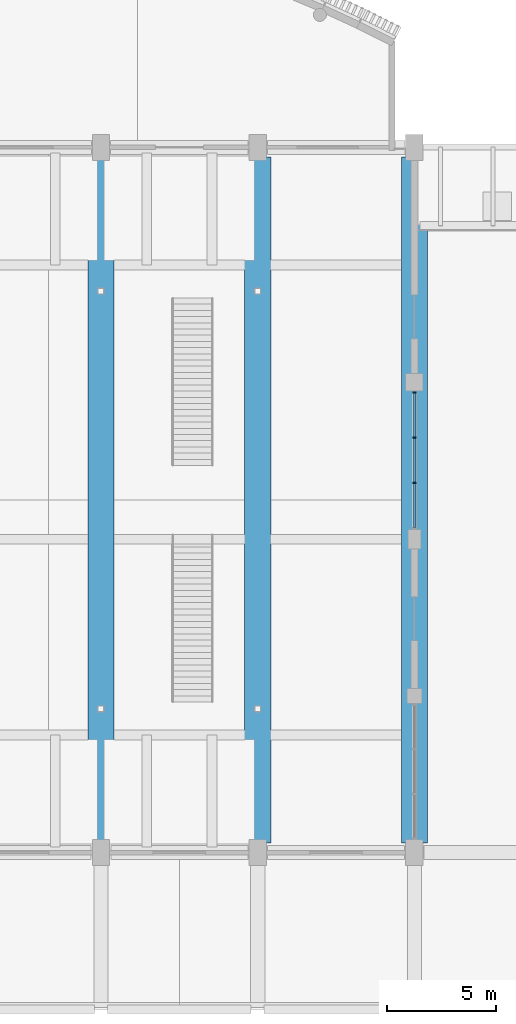
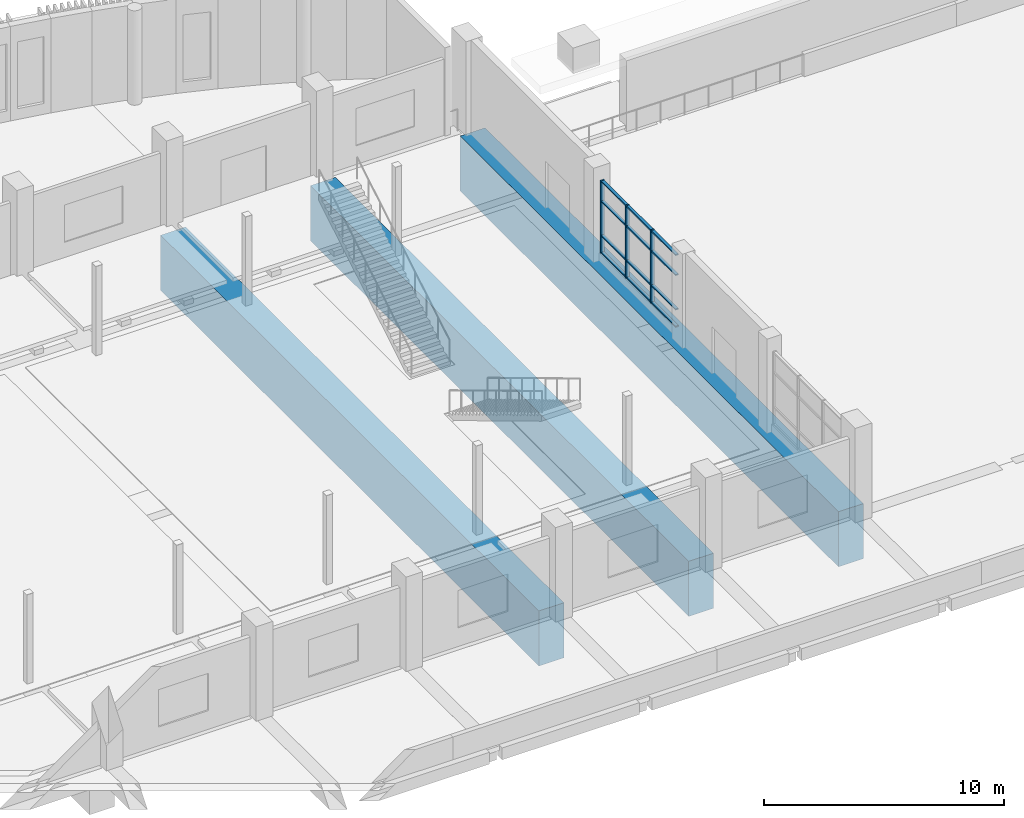
# One storey, part 37 of 82: 15 members, 3 beams, 1 element without a shape of its own.
"""IFC4 building model written with IfcOpenShell, lengths in metres."""

from ifc_helpers import new_model, si_unit, direction, frame, origin, origin_2d, place, context, subcontext, project, spatial, rectangle, extrude, material, material_profile, profile_set, type_object, element, aggregate, save


model = new_model("IFC4")

# Units and contexts
model_context = context("Model", 3, precision=1e-05, world=origin(), true_north=direction((0.0, 1.0)))
body_context = subcontext(model_context, "Body", "Model", "MODEL_VIEW")
ifc_project = project(units=[si_unit("LENGTHUNIT", "METRE"), si_unit("AREAUNIT", "SQUARE_METRE"), si_unit("VOLUMEUNIT", "CUBIC_METRE"), si_unit("PLANEANGLEUNIT", "RADIAN"), si_unit("MASSUNIT", "GRAM", prefix="KILO")], contexts=[model_context])

# Site, building, storey
site_placement = place(None, origin())
site = spatial("IfcSite", under=ifc_project, at=site_placement, CompositionType="ELEMENT")
building_placement = place(site_placement, origin())
building = spatial("IfcBuilding", under=site, at=building_placement, Name="Sardonyx Promenade Sports Hall", CompositionType="ELEMENT")
storey_placement = place(building_placement, frame((0.0, 0.0, 11.199951171875)))
storey = spatial("IfcBuildingStorey", under=building, at=storey_placement, Name="L02", CompositionType="ELEMENT", Elevation=11.199951171875)

# Beams
ifc_material_1 = material(Name="Post-tensioned concrete C50/60", Category="concrete")
ifc_material_profile_1 = material_profile(ifc_material_1, rectangle(XDim=1.199951171875, YDim=2.800048828125, at=origin_2d()))
ifc_profile_set_1 = profile_set([ifc_material_profile_1], Name="Post-tensioned concrete C50/60")
beam_type = type_object("IfcBeamType", Name="Bm_PT_Transfer_32m", PredefinedType="USERDEFINED", material=ifc_profile_set_1)
for number, where, z_axis, x_axis, name in (
    (1, (64.800048828125, 72.449951171875, -1.39990234375), (0.0, 1.0, 0.0), (-1.0, 0.0, 0.0), "Post-tensioned transfer girder PTG1 Grid 10"),
    (2, (72.0, 72.449951171875, -1.39990234375), (0.0, 1.0, 0.0), (-1.0, 0.0, 0.0), "Post-tensioned transfer girder PTG1 Grid 11"),
    (3, (79.199951171875, 72.449951171875, -1.39990234375), (0.0, 1.0, 0.0), (-1.0, 0.0, 0.0), "Post-tensioned transfer girder PTG1 Grid 12"),
):
    element("IfcBeam", number, at=place(storey_placement, frame(where, z_axis=z_axis, x_axis=x_axis)), inside=storey, type_object=beam_type, Name=name, ObjectType="TRANSFER GIRDER", PredefinedType="USERDEFINED", context=body_context, shape_type="SweptSolid", body=[
        extrude(rectangle(XDim=1.199951171875, YDim=2.800048828125, at=origin_2d()), origin(), (0.0, 0.0, 1.0), 31.5),
    ])

# Curtain wall, members
ifc_material_2 = material(Name="Aluminium 6063-T6", Category="aluminium")
curtain_wall_type = type_object("IfcCurtainWallType", Name="CW_South_L02_640", PredefinedType="USERDEFINED", material=ifc_material_2)
curtain_wall_placement = place(storey_placement, origin())
curtain_wall = element("IfcCurtainWall", 4, at=curtain_wall_placement, inside=storey, type_object=curtain_wall_type, Name="Curtain wall CW01 cw:L02:148", ObjectType="CURTAIN WALL", PredefinedType="USERDEFINED")
ifc_material_3 = material(Name="Aluminium 6063-T6", Category="aluminium")
ifc_material_profile_2 = material_profile(ifc_material_3, rectangle(XDim=0.06494140625, YDim=0.175048828125, at=origin_2d()))
ifc_profile_set_2 = profile_set([ifc_material_profile_2], Name="Aluminium 6063-T6")
member_type_1 = type_object("IfcMemberType", Name="CW_Mull_175", PredefinedType="MULLION", material=ifc_profile_set_2)
member_1_placement = place(storey_placement, frame((79.199951171875, 93.1474609375, 0.400146484375), z_axis=(0.0, 0.0, 1.0), x_axis=(0.0, -1.0, 0.0)))
member_1 = element("IfcMember", 5, at=member_1_placement, type_object=member_type_1, Name="Mullion CM02 cw:L02:148 #1", PredefinedType="MULLION", context=body_context, shape_type="SweptSolid", body=[
    extrude(rectangle(XDim=0.06494140625, YDim=0.175048828125, at=origin_2d()), origin(), (0.0, 0.0, 1.0), 3.699951171875),
])
member_2_placement = place(storey_placement, frame((79.199951171875, 91.06591796875, 0.400146484375), z_axis=(0.0, 0.0, 1.0), x_axis=(0.0, -1.0, 0.0)))
member_2 = element("IfcMember", 6, at=member_2_placement, type_object=member_type_1, Name="Mullion CM02 cw:L02:148 #2", PredefinedType="MULLION", context=body_context, shape_type="SweptSolid", body=[
    extrude(rectangle(XDim=0.06494140625, YDim=0.175048828125, at=origin_2d()), origin(), (0.0, 0.0, 1.0), 3.699951171875),
])
member_3_placement = place(storey_placement, frame((79.199951171875, 88.984130859375, 0.400146484375), z_axis=(0.0, 0.0, 1.0), x_axis=(0.0, -1.0, 0.0)))
member_3 = element("IfcMember", 7, at=member_3_placement, type_object=member_type_1, Name="Mullion CM02 cw:L02:148 #3", PredefinedType="MULLION", context=body_context, shape_type="SweptSolid", body=[
    extrude(rectangle(XDim=0.06494140625, YDim=0.175048828125, at=origin_2d()), origin(), (0.0, 0.0, 1.0), 3.699951171875),
])
ifc_material_4 = material(Name="Aluminium 6063-T6", Category="aluminium")
ifc_material_profile_3 = material_profile(ifc_material_4, rectangle(XDim=0.06494140625, YDim=0.139892578125, at=origin_2d()))
ifc_profile_set_3 = profile_set([ifc_material_profile_3], Name="Aluminium 6063-T6")
member_type_2 = type_object("IfcMemberType", Name="CW_Tran_140", PredefinedType="USERDEFINED", material=ifc_profile_set_3)
member_4_placement = place(storey_placement, frame((79.199951171875, 93.114990234375, 0.4326171875), z_axis=(0.0, -1.0, 0.0), x_axis=(0.0, 0.0, 1.0)))
member_4 = element("IfcMember", 8, at=member_4_placement, type_object=member_type_2, Name="Transom CT02 cw:L02:148 #1", ObjectType="TRANSOM", PredefinedType="USERDEFINED", context=body_context, shape_type="SweptSolid", body=[
    extrude(rectangle(XDim=0.06494140625, YDim=0.139892578125, at=origin_2d()), origin(), (0.0, 0.0, 1.0), 2.0166015625),
])
member_5_placement = place(storey_placement, frame((79.199951171875, 93.114990234375, 1.300048828125), z_axis=(0.0, -1.0, 0.0), x_axis=(0.0, 0.0, 1.0)))
member_5 = element("IfcMember", 9, at=member_5_placement, type_object=member_type_2, Name="Transom CT02 cw:L02:148 #2", ObjectType="TRANSOM", PredefinedType="USERDEFINED", context=body_context, shape_type="SweptSolid", body=[
    extrude(rectangle(XDim=0.06494140625, YDim=0.139892578125, at=origin_2d()), origin(), (0.0, 0.0, 1.0), 2.0166015625),
])
member_6_placement = place(storey_placement, frame((79.199951171875, 93.114990234375, 3.050048828125), z_axis=(0.0, -1.0, 0.0), x_axis=(0.0, 0.0, 1.0)))
member_6 = element("IfcMember", 10, at=member_6_placement, type_object=member_type_2, Name="Transom CT02 cw:L02:148 #3", ObjectType="TRANSOM", PredefinedType="USERDEFINED", context=body_context, shape_type="SweptSolid", body=[
    extrude(rectangle(XDim=0.06494140625, YDim=0.139892578125, at=origin_2d()), origin(), (0.0, 0.0, 1.0), 2.0166015625),
])
member_7_placement = place(storey_placement, frame((79.199951171875, 93.114990234375, 4.067626953125), z_axis=(0.0, -1.0, 0.0), x_axis=(0.0, 0.0, 1.0)))
member_7 = element("IfcMember", 11, at=member_7_placement, type_object=member_type_2, Name="Transom CT02 cw:L02:148 #4", ObjectType="TRANSOM", PredefinedType="USERDEFINED", context=body_context, shape_type="SweptSolid", body=[
    extrude(rectangle(XDim=0.06494140625, YDim=0.139892578125, at=origin_2d()), origin(), (0.0, 0.0, 1.0), 2.0166015625),
])
member_8_placement = place(storey_placement, frame((79.199951171875, 91.033447265625, 0.4326171875), z_axis=(0.0, -1.0, 0.0), x_axis=(0.0, 0.0, 1.0)))
member_8 = element("IfcMember", 12, at=member_8_placement, type_object=member_type_2, Name="Transom CT02 cw:L02:148 #5", ObjectType="TRANSOM", PredefinedType="USERDEFINED", context=body_context, shape_type="SweptSolid", body=[
    extrude(rectangle(XDim=0.06494140625, YDim=0.139892578125, at=origin_2d()), origin(), (0.0, 0.0, 1.0), 2.016845703125),
])
member_9_placement = place(storey_placement, frame((79.199951171875, 91.033447265625, 1.300048828125), z_axis=(0.0, -1.0, 0.0), x_axis=(0.0, 0.0, 1.0)))
member_9 = element("IfcMember", 13, at=member_9_placement, type_object=member_type_2, Name="Transom CT02 cw:L02:148 #6", ObjectType="TRANSOM", PredefinedType="USERDEFINED", context=body_context, shape_type="SweptSolid", body=[
    extrude(rectangle(XDim=0.06494140625, YDim=0.139892578125, at=origin_2d()), origin(), (0.0, 0.0, 1.0), 2.016845703125),
])
member_10_placement = place(storey_placement, frame((79.199951171875, 91.033447265625, 3.050048828125), z_axis=(0.0, -1.0, 0.0), x_axis=(0.0, 0.0, 1.0)))
member_10 = element("IfcMember", 14, at=member_10_placement, type_object=member_type_2, Name="Transom CT02 cw:L02:148 #7", ObjectType="TRANSOM", PredefinedType="USERDEFINED", context=body_context, shape_type="SweptSolid", body=[
    extrude(rectangle(XDim=0.06494140625, YDim=0.139892578125, at=origin_2d()), origin(), (0.0, 0.0, 1.0), 2.016845703125),
])
member_11_placement = place(storey_placement, frame((79.199951171875, 91.033447265625, 4.067626953125), z_axis=(0.0, -1.0, 0.0), x_axis=(0.0, 0.0, 1.0)))
member_11 = element("IfcMember", 15, at=member_11_placement, type_object=member_type_2, Name="Transom CT02 cw:L02:148 #8", ObjectType="TRANSOM", PredefinedType="USERDEFINED", context=body_context, shape_type="SweptSolid", body=[
    extrude(rectangle(XDim=0.06494140625, YDim=0.139892578125, at=origin_2d()), origin(), (0.0, 0.0, 1.0), 2.016845703125),
])
member_12_placement = place(storey_placement, frame((79.199951171875, 88.95166015625, 0.4326171875), z_axis=(0.0, -1.0, 0.0), x_axis=(0.0, 0.0, 1.0)))
member_12 = element("IfcMember", 16, at=member_12_placement, type_object=member_type_2, Name="Transom CT02 cw:L02:148 #9", ObjectType="TRANSOM", PredefinedType="USERDEFINED", context=body_context, shape_type="SweptSolid", body=[
    extrude(rectangle(XDim=0.06494140625, YDim=0.139892578125, at=origin_2d()), origin(), (0.0, 0.0, 1.0), 2.0166015625),
])
member_13_placement = place(storey_placement, frame((79.199951171875, 88.95166015625, 1.300048828125), z_axis=(0.0, -1.0, 0.0), x_axis=(0.0, 0.0, 1.0)))
member_13 = element("IfcMember", 17, at=member_13_placement, type_object=member_type_2, Name="Transom CT02 cw:L02:148 #10", ObjectType="TRANSOM", PredefinedType="USERDEFINED", context=body_context, shape_type="SweptSolid", body=[
    extrude(rectangle(XDim=0.06494140625, YDim=0.139892578125, at=origin_2d()), origin(), (0.0, 0.0, 1.0), 2.0166015625),
])
member_14_placement = place(storey_placement, frame((79.199951171875, 88.95166015625, 3.050048828125), z_axis=(0.0, -1.0, 0.0), x_axis=(0.0, 0.0, 1.0)))
member_14 = element("IfcMember", 18, at=member_14_placement, type_object=member_type_2, Name="Transom CT02 cw:L02:148 #11", ObjectType="TRANSOM", PredefinedType="USERDEFINED", context=body_context, shape_type="SweptSolid", body=[
    extrude(rectangle(XDim=0.06494140625, YDim=0.139892578125, at=origin_2d()), origin(), (0.0, 0.0, 1.0), 2.0166015625),
])
member_15_placement = place(storey_placement, frame((79.199951171875, 88.95166015625, 4.067626953125), z_axis=(0.0, -1.0, 0.0), x_axis=(0.0, 0.0, 1.0)))
member_15 = element("IfcMember", 19, at=member_15_placement, type_object=member_type_2, Name="Transom CT02 cw:L02:148 #12", ObjectType="TRANSOM", PredefinedType="USERDEFINED", context=body_context, shape_type="SweptSolid", body=[
    extrude(rectangle(XDim=0.06494140625, YDim=0.139892578125, at=origin_2d()), origin(), (0.0, 0.0, 1.0), 2.0166015625),
])
aggregate(curtain_wall, [member_1, member_2, member_3, member_4, member_5, member_6, member_7, member_8, member_9, member_10, member_11, member_12, member_13, member_14, member_15])

save(model, "model.ifc")
